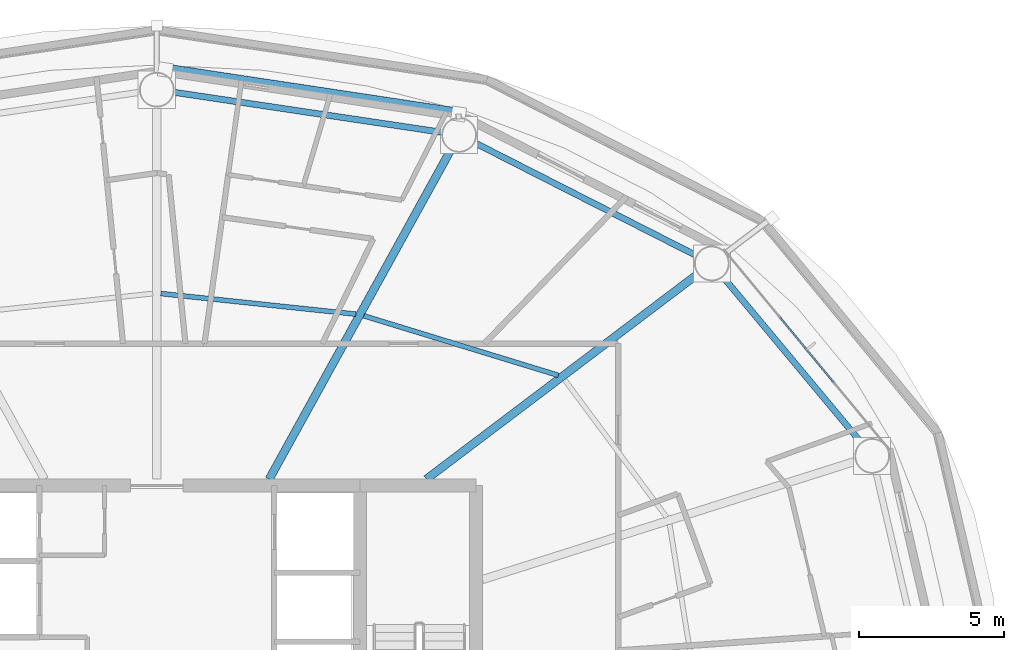
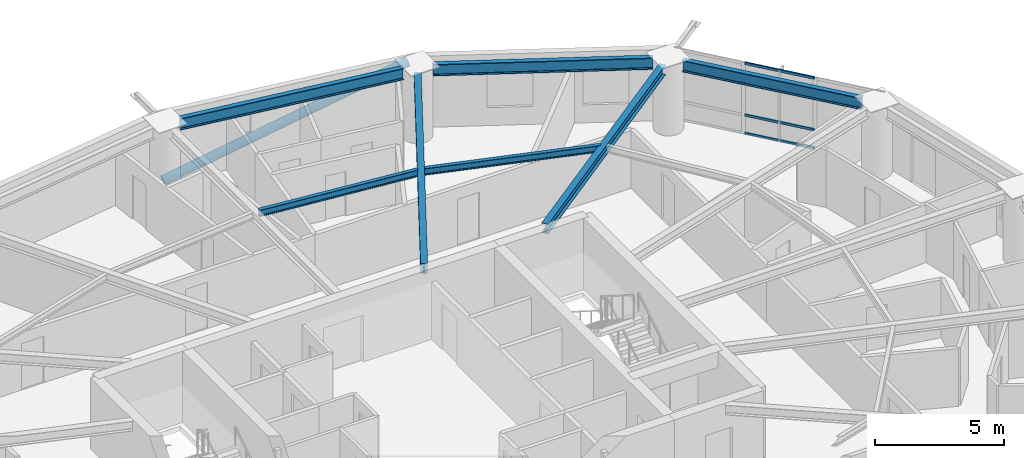
# One storey, part 14 of 27: 7 beams, 4 members, 1 element without a shape of its own.
"""IFC4 building model written with IfcOpenShell, lengths in metres."""

from ifc_helpers import new_model, si_unit, direction, frame, origin, origin_2d, place, context, subcontext, project, spatial, hollow_rectangle, hollow_circle, i_section, extrude, material, layer, layer_set, material_profile, profile_set, type_object, element, aggregate, save


model = new_model("IFC4")

# Units and contexts
model_context = context("Model", 3, precision=1e-05, world=origin(), true_north=direction((0.0, 1.0)))
body_context = subcontext(model_context, "Body", "Model", "MODEL_VIEW")
ifc_project = project(units=[si_unit("LENGTHUNIT", "METRE"), si_unit("AREAUNIT", "SQUARE_METRE"), si_unit("VOLUMEUNIT", "CUBIC_METRE"), si_unit("PLANEANGLEUNIT", "RADIAN"), si_unit("MASSUNIT", "GRAM", prefix="KILO")], contexts=[model_context])

# Site, building, storey
site_placement = place(None, origin())
site = spatial("IfcSite", under=ifc_project, at=site_placement, CompositionType="ELEMENT")
building_placement = place(site_placement, origin())
building = spatial("IfcBuilding", under=site, at=building_placement, Name="Sarneth Arch Tower", CompositionType="ELEMENT")
storey_placement = place(building_placement, frame((0.0, 0.0, 150.60009765625)))
storey = spatial("IfcBuildingStorey", under=building, at=storey_placement, Name="L37", CompositionType="ELEMENT", Elevation=150.60009765625)

# Beams
ifc_material_1 = material(Name="Steel S355", Category="steel")
ifc_material_profile_1 = material_profile(ifc_material_1, i_section(OverallWidth=0.1669921875, OverallDepth=0.31689453125, WebThickness=0.007568359375, FlangeThickness=0.01318359375, FilletRadius=0.012939453125, at=origin_2d()), Name="W310x52")
ifc_profile_set_1 = profile_set([ifc_material_profile_1], Name="Steel S355")
beam_type_1 = type_object("IfcBeamType", Name="BM-JOIST-310B", PredefinedType="JOIST", material=ifc_profile_set_1)
beam_1_placement = place(storey_placement, frame((61.84130859375, 52.602783203125, 3.221435546875), z_axis=(-0.956178669891, 0.292783796076, 0.0), x_axis=(-0.292783796076, -0.956178669891, 0.0)))
element("IfcBeam", 1, at=beam_1_placement, inside=storey, type_object=beam_type_1, Name="L37 Secondary floor joist 03", PredefinedType="JOIST", context=body_context, shape_type="SweptSolid", body=[
    extrude(i_section(OverallWidth=0.1669921875, OverallDepth=0.31689453125, WebThickness=0.007568359375, FlangeThickness=0.01318359375, FilletRadius=0.012939453125, at=origin_2d()), origin(), (0.0, 0.0, 1.0), 7.010986328125),
])
beam_2_placement = place(storey_placement, frame((54.8642578125, 54.711181640625, 3.221435546875), z_axis=(-0.994447340543, 0.105235387994, 0.0), x_axis=(-0.105235387994, -0.994447340543, 0.0)))
element("IfcBeam", 2, at=beam_2_placement, inside=storey, type_object=beam_type_1, Name="L37 Secondary floor joist 04", PredefinedType="JOIST", context=body_context, shape_type="SweptSolid", body=[
    extrude(i_section(OverallWidth=0.1669921875, OverallDepth=0.31689453125, WebThickness=0.007568359375, FlangeThickness=0.01318359375, FilletRadius=0.012939453125, at=origin_2d()), origin(), (0.0, 0.0, 1.0), 6.7626953125),
])
ifc_material_2 = material(Name="Steel S355", Category="steel")
ifc_material_profile_2 = material_profile(ifc_material_2, i_section(OverallWidth=0.280029296875, OverallDepth=0.462890625, WebThickness=0.0107421875, FlangeThickness=0.017333984375, FilletRadius=0.01806640625, at=origin_2d()), Name="W460x113")
ifc_profile_set_2 = profile_set([ifc_material_profile_2], Name="Steel S355")
beam_type_2 = type_object("IfcBeamType", Name="BM-RAD-460A", PredefinedType="BEAM", material=ifc_profile_set_2)
beam_3_placement = place(storey_placement, frame((57.29541015625, 49.02490234375, 3.1484375), z_axis=(0.797784574467, 0.602942594898, 0.0), x_axis=(-0.602942594898, 0.797784574467, 0.0)))
element("IfcBeam", 3, at=beam_3_placement, inside=storey, type_object=beam_type_2, Name="L37 Radial floor girder 03", PredefinedType="BEAM", context=body_context, shape_type="SweptSolid", body=[
    extrude(i_section(OverallWidth=0.280029296875, OverallDepth=0.462890625, WebThickness=0.0107421875, FlangeThickness=0.017333984375, FilletRadius=0.01806640625, at=origin_2d()), origin(), (0.0, 0.0, 1.0), 11.73193359375),
])
beam_4_placement = place(storey_placement, frame((51.875, 49.02490234375, 3.1484375), z_axis=(0.483010082599, 0.875614789795, 0.0), x_axis=(-0.875614789795, 0.483010082599, 0.0)))
element("IfcBeam", 4, at=beam_4_placement, inside=storey, type_object=beam_type_2, Name="L37 Radial floor girder 04", PredefinedType="BEAM", context=body_context, shape_type="SweptSolid", body=[
    extrude(i_section(OverallWidth=0.280029296875, OverallDepth=0.462890625, WebThickness=0.0107421875, FlangeThickness=0.017333984375, FilletRadius=0.01806640625, at=origin_2d()), origin(), (0.0, 0.0, 1.0), 12.954345703125),
])
ifc_material_3 = material(Name="Steel S355", Category="steel")
ifc_material_profile_3 = material_profile(ifc_material_3, i_section(OverallWidth=0.214111328125, OverallDepth=0.549072265625, WebThickness=0.0146484375, FlangeThickness=0.023681640625, FilletRadius=0.01806640625, at=origin_2d()), Name="W530x138")
ifc_profile_set_3 = profile_set([ifc_material_profile_3], Name="Steel S355")
beam_type_3 = type_object("IfcBeamType", Name="BM-RAD-530A", PredefinedType="BEAM", material=ifc_profile_set_3)
beam_5_placement = place(storey_placement, frame((72.278076171875, 50.286865234375, 3.10546875), z_axis=(-0.640161793626, 0.768240117399, 0.0), x_axis=(-0.768240117399, -0.640161793626, 0.0)))
element("IfcBeam", 5, at=beam_5_placement, inside=storey, type_object=beam_type_3, Name="L37 Perimeter spandrel beam 02", PredefinedType="BEAM", context=body_context, shape_type="SweptSolid", body=[
    extrude(i_section(OverallWidth=0.214111328125, OverallDepth=0.549072265625, WebThickness=0.0146484375, FlangeThickness=0.023681640625, FilletRadius=0.01806640625, at=origin_2d()), origin(), (0.0, 0.0, 1.0), 7.43603515625),
])
beam_6_placement = place(storey_placement, frame((66.59912109375, 56.732421875, 3.10546875), z_axis=(-0.891250372735, 0.453511601945, 0.0), x_axis=(-0.453511601945, -0.891250372735, 0.0)))
element("IfcBeam", 6, at=beam_6_placement, inside=storey, type_object=beam_type_3, Name="L37 Perimeter spandrel beam 03", PredefinedType="BEAM", context=body_context, shape_type="SweptSolid", body=[
    extrude(i_section(OverallWidth=0.214111328125, OverallDepth=0.549072265625, WebThickness=0.0146484375, FlangeThickness=0.023681640625, FilletRadius=0.01806640625, at=origin_2d()), origin(), (0.0, 0.0, 1.0), 8.5751953125),
])
beam_7_placement = place(storey_placement, frame((57.828369140625, 60.98193359375, 3.10546875), z_axis=(-0.98902783755, 0.147729267756, 0.0), x_axis=(-0.147729267756, -0.98902783755, 0.0)))
element("IfcBeam", 7, at=beam_7_placement, inside=storey, type_object=beam_type_3, Name="L37 Perimeter spandrel beam 04", PredefinedType="BEAM", context=body_context, shape_type="SweptSolid", body=[
    extrude(i_section(OverallWidth=0.214111328125, OverallDepth=0.549072265625, WebThickness=0.0146484375, FlangeThickness=0.023681640625, FilletRadius=0.01806640625, at=origin_2d()), origin(), (0.0, 0.0, 1.0), 9.33740234375),
])

# Curtain wall, members
ifc_material_4 = material(Name="Anodised aluminium Type AA25 and solar-control low-e laminated IGU", Category="aluminium")
ifc_layer = layer(ifc_material_4, 0.169921875)
ifc_layer_set = layer_set([ifc_layer], Name="Anodised aluminium Type AA25 and solar-control low-e laminated IGU")
curtain_wall_type = type_object("IfcCurtainWallType", Name="CW-RES-MID", PredefinedType="NOTDEFINED", material=ifc_layer_set)
curtain_wall_placement = place(storey_placement, origin())
curtain_wall = element("IfcCurtainWall", 8, at=curtain_wall_placement, inside=storey, type_object=curtain_wall_type, Name="L37 Unitised curtain wall facet 02", PredefinedType="NOTDEFINED")
ifc_material_5 = material(Name="Anodised Aluminium 6063-T6", Category="aluminium")
ifc_material_profile_4 = material_profile(ifc_material_5, hollow_rectangle(XDim=0.06005859375, YDim=0.1201171875, WallThickness=0.00390625, at=origin_2d()), Name="AL-TRAN-120x60x4")
ifc_profile_set_4 = profile_set([ifc_material_profile_4], Name="Anodised Aluminium 6063-T6")
member_type_1 = type_object("IfcMemberType", Name="CW-TRANSOM", PredefinedType="USERDEFINED", material=ifc_profile_set_4)
member_1_placement = place(storey_placement, frame((71.327880859375, 52.36962890625, 0.02978515625), z_axis=(-0.637329777791, 0.770591171985, 0.0), x_axis=(-0.770591171985, -0.637329777791, 0.0)))
member_1 = element("IfcMember", 9, at=member_1_placement, type_object=member_type_1, Name="CW-SYS-5 transom 2.1", ObjectType="TRANSOM", PredefinedType="USERDEFINED", context=body_context, shape_type="SweptSolid", body=[
    extrude(hollow_rectangle(XDim=0.06005859375, YDim=0.1201171875, WallThickness=0.00390625, at=origin_2d()), origin(), (0.0, 0.0, 1.0), 2.898193359375),
])
member_2_placement = place(storey_placement, frame((71.327880859375, 52.36962890625, 0.89990234375), z_axis=(-0.637329777791, 0.770591171985, 0.0), x_axis=(-0.770591171985, -0.637329777791, 0.0)))
member_2 = element("IfcMember", 10, at=member_2_placement, type_object=member_type_1, Name="CW-SYS-5 transom 2.2", ObjectType="TRANSOM", PredefinedType="USERDEFINED", context=body_context, shape_type="SweptSolid", body=[
    extrude(hollow_rectangle(XDim=0.06005859375, YDim=0.1201171875, WallThickness=0.00390625, at=origin_2d()), origin(), (0.0, 0.0, 1.0), 2.898193359375),
])
member_3_placement = place(storey_placement, frame((71.327880859375, 52.36962890625, 3.349853515625), z_axis=(-0.637329777791, 0.770591171985, 0.0), x_axis=(-0.770591171985, -0.637329777791, 0.0)))
member_3 = element("IfcMember", 11, at=member_3_placement, type_object=member_type_1, Name="CW-SYS-5 transom 2.3", ObjectType="TRANSOM", PredefinedType="USERDEFINED", context=body_context, shape_type="SweptSolid", body=[
    extrude(hollow_rectangle(XDim=0.06005859375, YDim=0.1201171875, WallThickness=0.00390625, at=origin_2d()), origin(), (0.0, 0.0, 1.0), 2.898193359375),
])
aggregate(curtain_wall, [member_1, member_2, member_3])

# Member
ifc_material_6 = material(Name="Steel S355", Category="steel")
ifc_material_profile_5 = material_profile(ifc_material_6, hollow_circle(Radius=0.202880859375, WallThickness=0.01611328125, at=origin_2d()), Name="CHS406x16")
ifc_profile_set_5 = profile_set([ifc_material_profile_5], Name="Steel S355")
member_type_2 = type_object("IfcMemberType", Name="MEM-DIAG-BR2", PredefinedType="BRACE", material=ifc_profile_set_5)
member_4_placement = place(storey_placement, frame((48.296630859375, 63.13525390625, 0.02001953125), z_axis=(0.948052912183, -0.142822782379, 0.284248708942), x_axis=(0.148967610144, 0.988842075929, 0.0)))
element("IfcMember", 12, at=member_4_placement, inside=storey, type_object=member_type_2, Name="L37 Perimeter frame diagonal 04", PredefinedType="BRACE", context=body_context, shape_type="SweptSolid", body=[
    extrude(hollow_circle(Radius=0.202880859375, WallThickness=0.01611328125, at=origin_2d()), origin(), (0.0, 0.0, 1.0), 10.66162109375),
])

save(model, "model.ifc")
